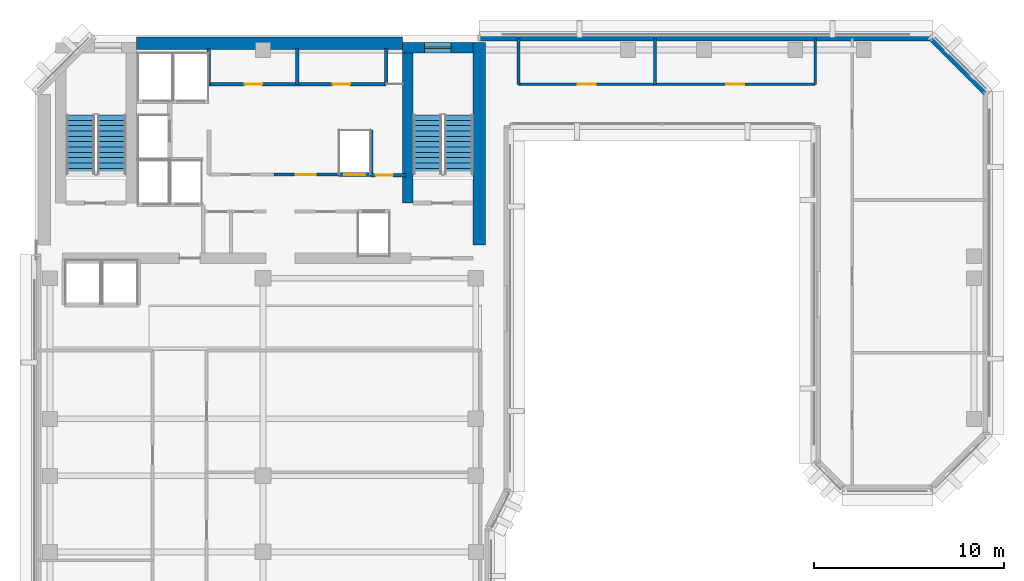
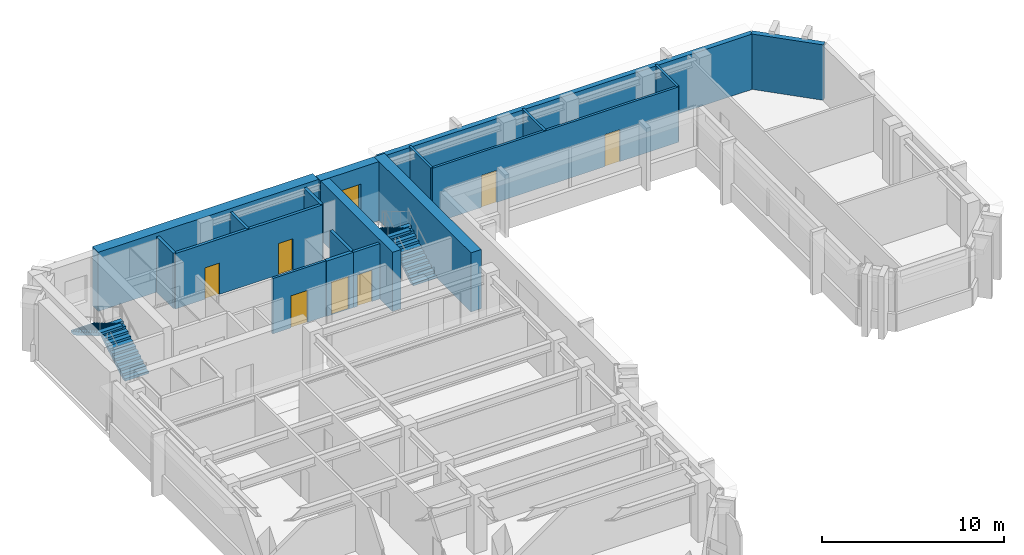
# One storey, part 7 of 11: 18 walls, 7 doors, 4 stair flights, 1 window, 8 openings, 2 elements without a shape of their own.
"""IFC4 building model written with IfcOpenShell, lengths in metres."""

from ifc_helpers import new_model, si_unit, direction, frame, frame_2d, origin, place, context, subcontext, project, spatial, polyline, rectangle, outline, extrude, material, layer, layer_set, type_object, element, fill, aggregate, save


model = new_model("IFC4")

# Units and contexts
model_context = context("Model", 3, precision=1e-05, world=origin(), true_north=direction((0.0, 1.0)))
body_context = subcontext(model_context, "Body", "Model", "MODEL_VIEW")
ifc_project = project(units=[si_unit("LENGTHUNIT", "METRE"), si_unit("AREAUNIT", "SQUARE_METRE"), si_unit("VOLUMEUNIT", "CUBIC_METRE"), si_unit("PLANEANGLEUNIT", "RADIAN"), si_unit("MASSUNIT", "GRAM", prefix="KILO")], contexts=[model_context])

# Site, building, storey
site_placement = place(None, origin())
site = spatial("IfcSite", under=ifc_project, at=site_placement, CompositionType="ELEMENT")
building_placement = place(site_placement, origin())
building = spatial("IfcBuilding", under=site, at=building_placement, Name="Kefirva Bronze Tower", CompositionType="ELEMENT")
storey_placement = place(building_placement, frame((0.0, 0.0, 239.580078125)))
storey = spatial("IfcBuildingStorey", under=building, at=storey_placement, Name="L58", CompositionType="ELEMENT", Elevation=239.580078125)

# Wall, opening, door
ifc_material_1 = material(Name="Gypsum acoustic partition")
ifc_layer_1 = layer(ifc_material_1, 0.14990234375, Name="Gypsum acoustic partition")
ifc_layer_set_1 = layer_set([ifc_layer_1], Name="Gypsum acoustic partition")
wall_type_1 = type_object("IfcWallType", Name="Executive Suite Partition 150mm", PredefinedType="PARTITIONING", material=ifc_layer_set_1)
wall_1_placement = place(storey_placement, frame((12.580078125, 38.64990234375, 0.0), z_axis=(0.0, 0.0, 1.0), x_axis=(1.0, 0.0, 0.0)))
wall_1 = element("IfcWall", 1, at=wall_1_placement, inside=storey, type_object=wall_type_1, Name="L58 Partition W-L58-RECMP2", PredefinedType="PARTITIONING", context=body_context, shape_type="SweptSolid", body=[
    extrude(rectangle(XDim=3.3798828125, YDim=0.14990234375, at=frame_2d((1.68994140625, 0.0))), origin(), (0.0, 0.0, 1.0), 3.7099609375),
])
opening_1_placement = place(wall_1_placement, frame((2.199951171875, 0.0, 0.0), z_axis=(0.0, 0.0, 1.0), x_axis=(-1.0, 0.0, 0.0)))
opening_1 = element("IfcOpeningElement", 2, at=opening_1_placement, cuts=wall_1, Name="Opening L58-D-RECMP2", PredefinedType="OPENING", context=body_context, shape_type="SweptSolid", body=[
    extrude(rectangle(XDim=1.050048828125, YDim=2.14990234375, at=frame_2d((0.52490234375, 1.074951171875))), frame((0.0, 0.0849609375, 0.0), z_axis=(0.0, -1.0, 0.0), x_axis=(1.0, 0.0, 0.0)), (0.0, 0.0, 1.0), 0.169921875),
])
ifc_material_2 = material(Name="Acoustic hardwood oak", Category="wood")
door_type_1 = type_object("IfcDoorType", Name="Executive & Boardroom Door 1050x2150", OperationType="NOTDEFINED", PredefinedType="DOOR", material=ifc_material_2)
door_1_placement = place(opening_1_placement, origin())
door_1 = element("IfcDoor", 3, at=door_1_placement, inside=storey, type_object=door_type_1, Name="Door L58-D-RECMP2", OperationType="SINGLE_SWING_LEFT", OverallHeight=2.14990234375, OverallWidth=1.050048828125, PredefinedType="DOOR", context=body_context, shape_type="SweptSolid", body=[
    extrude(rectangle(XDim=1.050048828125, YDim=2.14990234375, at=frame_2d((0.52490234375, 1.074951171875))), frame((0.0, 0.02490234375, 0.0), z_axis=(0.0, -1.0, 0.0), x_axis=(1.0, 0.0, 0.0)), (0.0, 0.0, 1.0), 0.050048828125),
])
fill(opening_1, door_1)

# Wall, openings, doors
wall_2_placement = place(storey_placement, frame((25.449951171875, 43.39990234375, 0.0), z_axis=(0.0, 0.0, 1.0), x_axis=(1.0, 0.0, 0.0)))
wall_2 = element("IfcWall", 4, at=wall_2_placement, inside=storey, type_object=wall_type_1, Name="L58 Partition W-L58-PBRGN", PredefinedType="PARTITIONING", context=body_context, shape_type="SweptSolid", body=[
    extrude(rectangle(XDim=15.60009765625, YDim=0.14990234375, at=frame_2d((7.800048828125, 0.0))), origin(), (0.0, 0.0, 1.0), 3.7099609375),
])
opening_2_placement = place(wall_2_placement, frame((3.113037109375, 0.0, 0.0)))
opening_2 = element("IfcOpeningElement", 5, at=opening_2_placement, cuts=wall_2, Name="Opening L58-D-PBN1", PredefinedType="OPENING", context=body_context, shape_type="SweptSolid", body=[
    extrude(rectangle(XDim=0.949951171875, YDim=2.14990234375, at=frame_2d((0.47509765625, 1.074951171875))), frame((0.0, 0.0849609375, 0.0), z_axis=(0.0, -1.0, 0.0), x_axis=(1.0, 0.0, 0.0)), (0.0, 0.0, 1.0), 0.169921875),
])
opening_3_placement = place(wall_2_placement, frame((10.9130859375, 0.0, 0.0)))
opening_3 = element("IfcOpeningElement", 6, at=opening_3_placement, cuts=wall_2, Name="Opening L58-D-PBN2", PredefinedType="OPENING", context=body_context, shape_type="SweptSolid", body=[
    extrude(rectangle(XDim=0.949951171875, YDim=2.14990234375, at=frame_2d((0.47509765625, 1.074951171875))), frame((0.0, 0.0849609375, 0.0), z_axis=(0.0, -1.0, 0.0), x_axis=(1.0, 0.0, 0.0)), (0.0, 0.0, 1.0), 0.169921875),
])
door_type_2 = type_object("IfcDoorType", Name="Office & Meeting Room Door 950x2150", OperationType="NOTDEFINED", PredefinedType="DOOR", material=ifc_material_2)
door_2_placement = place(opening_2_placement, origin())
door_2 = element("IfcDoor", 7, at=door_2_placement, inside=storey, type_object=door_type_2, Name="Door L58-D-PBN1", OperationType="SINGLE_SWING_LEFT", OverallHeight=2.14990234375, OverallWidth=0.949951171875, PredefinedType="DOOR", context=body_context, shape_type="SweptSolid", body=[
    extrude(rectangle(XDim=0.949951171875, YDim=2.14990234375, at=frame_2d((0.47509765625, 1.074951171875))), frame((0.0, 0.02490234375, 0.0), z_axis=(0.0, -1.0, 0.0), x_axis=(1.0, 0.0, 0.0)), (0.0, 0.0, 1.0), 0.050048828125),
])
fill(opening_2, door_2)
door_3_placement = place(opening_3_placement, origin())
door_3 = element("IfcDoor", 8, at=door_3_placement, inside=storey, type_object=door_type_2, Name="Door L58-D-PBN2", OperationType="SINGLE_SWING_RIGHT", OverallHeight=2.14990234375, OverallWidth=0.949951171875, PredefinedType="DOOR", context=body_context, shape_type="SweptSolid", body=[
    extrude(rectangle(XDim=0.949951171875, YDim=2.14990234375, at=frame_2d((0.47509765625, 1.074951171875))), frame((0.0, 0.02490234375, 0.0), z_axis=(0.0, -1.0, 0.0), x_axis=(1.0, 0.0, 0.0)), (0.0, 0.0, 1.0), 0.050048828125),
])
fill(opening_3, door_3)

# Walls
for number, where, z_axis, x_axis, name in (
    (9, (25.449951171875, 43.39990234375, 0.0), (0.0, 0.0, 1.0), (0.0, 1.0, 0.0), "L58 Partition W-L58-PBRGW"),
    (10, (41.050048828125, 43.39990234375, 0.0), (0.0, 0.0, 1.0), (0.0, 1.0, 0.0), "L58 Partition W-L58-PBRGE"),
    (11, (32.6259765625, 43.39990234375, 0.0), (0.0, 0.0, 1.0), (0.0, 1.0, 0.0), "L58 Partition W-L58-PBND1"),
):
    element("IfcWall", number, at=place(storey_placement, frame(where, z_axis=z_axis, x_axis=x_axis)), inside=storey, type_object=wall_type_1, Name=name, PredefinedType="PARTITIONING", context=body_context, shape_type="SweptSolid", body=[
        extrude(rectangle(XDim=2.41015625, YDim=0.14990234375, at=frame_2d((1.205078125, 0.0))), origin(), (0.0, 0.0, 1.0), 3.7099609375),
    ])
ifc_material_3 = material(Name="Gypsum fireboard shaftwall")
ifc_layer_2 = layer(ifc_material_3, 0.219970703125, Name="Gypsum fireboard shaftwall")
ifc_layer_set_2 = layer_set([ifc_layer_2], Name="Gypsum fireboard shaftwall")
wall_type_2 = type_object("IfcWallType", Name="Fire-Rated Shaft Enclosure Wall 220mm", PredefinedType="PARTITIONING", material=ifc_layer_set_2)
wall_3_placement = place(storey_placement, frame((17.679931640625, 38.64990234375, 0.0), z_axis=(0.0, 0.0, 1.0), x_axis=(0.0, 1.0, 0.0)))
element("IfcWall", 12, at=wall_3_placement, inside=storey, type_object=wall_type_2, Name="L58 Partition W-L58-HP2E", PredefinedType="PARTITIONING", context=body_context, shape_type="SweptSolid", body=[
    extrude(rectangle(XDim=2.35009765625, YDim=0.199951171875, at=frame_2d((1.175048828125, 0.0))), origin(), (0.0, 0.0, 1.0), 3.7099609375),
])

# Wall, opening, door
wall_4_placement = place(storey_placement, frame((15.97998046875, 38.64990234375, 0.0), z_axis=(0.0, 0.0, 1.0), x_axis=(1.0, 0.0, 0.0)))
wall_4 = element("IfcWall", 13, at=wall_4_placement, inside=storey, type_object=wall_type_2, Name="L58 Partition W-L58-HPN", PredefinedType="PARTITIONING", context=body_context, shape_type="SweptSolid", body=[
    extrude(rectangle(XDim=1.719970703125, YDim=0.219970703125, at=frame_2d((0.85986328125, 0.0))), origin(), (0.0, 0.0, 1.0), 3.7099609375),
])
opening_4_placement = place(wall_4_placement, frame((0.300048828125, 0.0, 0.0)))
opening_4 = element("IfcOpeningElement", 14, at=opening_4_placement, cuts=wall_4, Name="Opening L58-LD-HP2", PredefinedType="OPENING", context=body_context, shape_type="SweptSolid", body=[
    extrude(rectangle(XDim=1.10009765625, YDim=2.199951171875, at=frame_2d((0.550048828125, 1.10009765625))), frame((0.0, 0.1201171875, 0.0), z_axis=(0.0, -1.0, 0.0), x_axis=(1.0, 0.0, 0.0)), (0.0, 0.0, 1.0), 0.239990234375),
])
ifc_material_4 = material(Name="Stainless steel 316", Category="steel")
door_type_3 = type_object("IfcDoorType", Name="Passenger Lift Sliding Landing Door 1100x2200", OperationType="SLIDING_TO_LEFT", PredefinedType="DOOR", material=ifc_material_4)
door_4_placement = place(opening_4_placement, origin())
door_4 = element("IfcDoor", 15, at=door_4_placement, inside=storey, type_object=door_type_3, Name="Door L58-LD-HP2", OperationType="SLIDING_TO_LEFT", OverallHeight=2.199951171875, OverallWidth=1.10009765625, PredefinedType="DOOR", context=body_context, shape_type="SweptSolid", body=[
    extrude(rectangle(XDim=1.10009765625, YDim=2.199951171875, at=frame_2d((0.550048828125, 1.10009765625))), frame((0.0, 0.02490234375, 0.0), z_axis=(0.0, -1.0, 0.0), x_axis=(1.0, 0.0, 0.0)), (0.0, 0.0, 1.0), 0.050048828125),
])
fill(opening_4, door_4)

ifc_material_5 = material(Name="Gypsum fireboard barrier")
ifc_layer_3 = layer(ifc_material_5, 0.199951171875, Name="Gypsum fireboard barrier")
ifc_layer_set_3 = layer_set([ifc_layer_3], Name="Gypsum fireboard barrier")
wall_type_3 = type_object("IfcWallType", Name="Firefighting Lobby Barrier Wall 200mm", PredefinedType="PARTITIONING", material=ifc_layer_set_3)
wall_5_placement = place(storey_placement, frame((17.679931640625, 38.6201171875, 0.0), z_axis=(0.0, 0.0, 1.0), x_axis=(1.0, 0.0, 0.0)))
wall_5 = element("IfcWall", 16, at=wall_5_placement, inside=storey, type_object=wall_type_3, Name="L58 Partition W-L58-CPASS", PredefinedType="PARTITIONING", context=body_context, shape_type="SweptSolid", body=[
    extrude(rectangle(XDim=1.840087890625, YDim=0.179931640625, at=frame_2d((0.919921875, 0.0))), origin(), (0.0, 0.0, 1.0), 3.7099609375),
])
opening_5_placement = place(wall_5_placement, frame((0.239990234375, 0.0, 0.0)))
opening_5 = element("IfcOpeningElement", 17, at=opening_5_placement, cuts=wall_5, Name="Opening L58-D-CPAS", PredefinedType="OPENING", context=body_context, shape_type="SweptSolid", body=[
    extrude(rectangle(XDim=0.919921875, YDim=2.10009765625, at=frame_2d((0.4599609375, 1.050048828125))), frame((0.0, 0.10009765625, 0.0), z_axis=(0.0, -1.0, 0.0), x_axis=(1.0, 0.0, 0.0)), (0.0, 0.0, 1.0), 0.199951171875),
])
ifc_material_6 = material(Name="Moisture-resistant timber", Category="wood")
door_type_4 = type_object("IfcDoorType", Name="Accessible Sanitary & WC Door 920x2100", OperationType="NOTDEFINED", PredefinedType="DOOR", material=ifc_material_6)
door_5_placement = place(opening_5_placement, origin())
door_5 = element("IfcDoor", 18, at=door_5_placement, inside=storey, type_object=door_type_4, Name="Door L58-D-CPAS", OperationType="SINGLE_SWING_RIGHT", OverallHeight=2.10009765625, OverallWidth=0.919921875, PredefinedType="DOOR", context=body_context, shape_type="SweptSolid", body=[
    extrude(rectangle(XDim=0.919921875, YDim=2.10009765625, at=frame_2d((0.4599609375, 1.050048828125))), frame((0.0, 0.02490234375, 0.0), z_axis=(0.0, -1.0, 0.0), x_axis=(1.0, 0.0, 0.0)), (0.0, 0.0, 1.0), 0.050048828125),
])
fill(opening_5, door_5)

# Walls
ifc_material_7 = material(Name="Precast concrete C40/50", Category="concrete")
ifc_layer_4 = layer(ifc_material_7, 0.320068359375, Name="Precast concrete C40/50")
ifc_layer_set_4 = layer_set([ifc_layer_4], Name="Precast concrete C40/50")
wall_type_4 = type_object("IfcWallType", Name="Precast Insulated Exterior Wall 320mm", PredefinedType="SOLIDWALL", material=ifc_layer_set_4)
wall_6_placement = place(storey_placement, frame((50.048095703125, 42.92578125, 0.0), z_axis=(0.0, 0.0, 1.0), x_axis=(-0.707136318428, 0.707077242712, 0.0)))
element("IfcWall", 19, at=wall_6_placement, inside=storey, type_object=wall_type_4, Name="L58 Exterior Facade Wall 10", PredefinedType="SOLIDWALL", context=body_context, shape_type="SweptSolid", body=[
    extrude(rectangle(XDim=4.132568359375, YDim=0.320068359375, at=frame_2d((2.06640625, 0.0))), origin(), (0.0, 0.0, 1.0), 3.7099609375),
])
wall_7_placement = place(storey_placement, frame((47.14501953125, 45.840087890625, 0.0), z_axis=(0.0, 0.0, 1.0), x_axis=(-1.0, 0.0, 0.0)))
element("IfcWall", 20, at=wall_7_placement, inside=storey, type_object=wall_type_4, Name="L58 Exterior Facade Wall 11", PredefinedType="SOLIDWALL", context=body_context, shape_type="SweptSolid", body=[
    extrude(rectangle(XDim=23.739990234375, YDim=0.320068359375, at=frame_2d((11.8701171875, 0.0))), origin(), (0.0, 0.0, 1.0), 3.7099609375),
])

# Wall, opening, window
ifc_material_8 = material(Name="Concrete C50/60", Category="concrete")
ifc_layer_5 = layer(ifc_material_8, 0.550048828125, Name="Concrete C50/60")
ifc_layer_set_5 = layer_set([ifc_layer_5], Name="Concrete C50/60")
wall_type_5 = type_object("IfcWallType", Name="RC Rear Core Exterior Wall 550mm", PredefinedType="SHEAR", material=ifc_layer_set_5)
wall_8_placement = place(storey_placement, frame((19.35009765625, 45.320068359375, 0.0), z_axis=(0.0, 0.0, 1.0), x_axis=(1.0, 0.0, 0.0)))
wall_8 = element("IfcWall", 21, at=wall_8_placement, inside=storey, type_object=wall_type_5, Name="L58 Stair 2 North Shear Wall", PredefinedType="SHEAR", context=body_context, shape_type="SweptSolid", body=[
    extrude(rectangle(XDim=3.68994140625, YDim=0.550048828125, at=frame_2d((1.844970703125, 0.0))), origin(), (0.0, 0.0, 1.0), 3.9599609375),
])
opening_6_placement = place(wall_8_placement, frame((1.14990234375, 0.0, 1.050048828125)))
opening_6 = element("IfcOpeningElement", 22, at=opening_6_placement, cuts=wall_8, Name="Opening WN-03", PredefinedType="OPENING", context=body_context, shape_type="SweptSolid", body=[
    extrude(rectangle(XDim=1.39990234375, YDim=1.800048828125, at=frame_2d((0.699951171875, 0.89990234375))), frame((0.0, 0.28515625, 0.0), z_axis=(0.0, -1.0, 0.0), x_axis=(1.0, 0.0, 0.0)), (0.0, 0.0, 1.0), 0.570068359375),
])
ifc_material_9 = material(Name="Laminated low-E double glazing", Category="glass")
window_type = type_object("IfcWindowType", Name="Rear-Core Stair Daylight Window 1400x1800", PartitioningType="SINGLE_PANEL", PredefinedType="WINDOW", material=ifc_material_9)
window_placement = place(opening_6_placement, origin())
window = element("IfcWindow", 23, at=window_placement, inside=storey, type_object=window_type, Name="L58 Stair 2 Daylight Window", OverallHeight=1.800048828125, OverallWidth=1.39990234375, PartitioningType="SINGLE_PANEL", PredefinedType="WINDOW", context=body_context, shape_type="SweptSolid", body=[
    extrude(rectangle(XDim=1.39990234375, YDim=1.800048828125, at=frame_2d((0.699951171875, 0.89990234375))), frame((0.0, 0.030029296875, 0.0), z_axis=(0.0, -1.0, 0.0), x_axis=(1.0, 0.0, 0.0)), (0.0, 0.0, 1.0), 0.06005859375),
])
fill(opening_6, window)

# Walls
ifc_layer_6 = layer(ifc_material_8, 0.64990234375, Name="Concrete C50/60")
ifc_layer_set_6 = layer_set([ifc_layer_6], Name="Concrete C50/60")
wall_type_6 = type_object("IfcWallType", Name="RC Rear Core Exterior Wall 650mm", PredefinedType="SHEAR", material=ifc_layer_set_6)
wall_9_placement = place(storey_placement, frame((5.360107421875, 45.550048828125, 0.0), z_axis=(0.0, 0.0, 1.0), x_axis=(1.0, 0.0, 0.0)))
element("IfcWall", 24, at=wall_9_placement, inside=storey, type_object=wall_type_6, Name="L58 Rear Core North Shear Wall", PredefinedType="SHEAR", context=body_context, shape_type="SweptSolid", body=[
    extrude(rectangle(XDim=13.97998046875, YDim=0.64990234375, at=frame_2d((6.989990234375, 0.0))), origin(), (0.0, 0.0, 1.0), 3.9599609375),
])
ifc_layer_7 = layer(ifc_material_8, 0.550048828125, Name="Concrete C50/60")
ifc_layer_set_7 = layer_set([ifc_layer_7], Name="Concrete C50/60")
wall_type_7 = type_object("IfcWallType", Name="RC Rear Core Interior Wall 550mm", PredefinedType="SHEAR", material=ifc_layer_set_7)
wall_10_placement = place(storey_placement, frame((19.6201171875, 37.14990234375, 0.0), z_axis=(0.0, 0.0, 1.0), x_axis=(0.0, 1.0, 0.0)))
element("IfcWall", 25, at=wall_10_placement, inside=storey, type_object=wall_type_7, Name="L58 Stair 2 West Shear Wall", PredefinedType="SHEAR", context=body_context, shape_type="SweptSolid", body=[
    extrude(rectangle(XDim=7.89013671875, YDim=0.550048828125, at=frame_2d((3.945068359375, 0.0))), origin(), (0.0, 0.0, 1.0), 3.9599609375),
])
ifc_layer_8 = layer(ifc_material_8, 0.64990234375, Name="Concrete C50/60")
ifc_layer_set_8 = layer_set([ifc_layer_8], Name="Concrete C50/60")
wall_type_8 = type_object("IfcWallType", Name="RC Rear Core Interior Wall 650mm", PredefinedType="SHEAR", material=ifc_layer_set_8)
wall_11_placement = place(storey_placement, frame((23.375, 34.949951171875, 0.0), z_axis=(0.0, 0.0, 1.0), x_axis=(0.0, 1.0, 0.0)))
element("IfcWall", 26, at=wall_11_placement, inside=storey, type_object=wall_type_8, Name="L58 Rear Core East Shear Wall", PredefinedType="SHEAR", context=body_context, shape_type="SweptSolid", body=[
    extrude(rectangle(XDim=10.64013671875, YDim=0.64990234375, at=frame_2d((5.320068359375, 0.0))), origin(), (0.0, 0.0, 1.0), 3.9599609375),
])

# Wall, openings, doors
ifc_material_10 = material(Name="Moisture-resistant partition")
ifc_layer_9 = layer(ifc_material_10, 0.179931640625, Name="Moisture-resistant partition")
ifc_layer_set_9 = layer_set([ifc_layer_9], Name="Moisture-resistant partition")
wall_type_9 = type_object("IfcWallType", Name="Sanitary Plumbing Chase Wall 180mm", PredefinedType="PLUMBINGWALL", material=ifc_layer_set_9)
wall_12_placement = place(storey_placement, frame((9.14990234375, 43.39990234375, 0.0), z_axis=(0.0, 0.0, 1.0), x_axis=(1.0, 0.0, 0.0)))
wall_12 = element("IfcWall", 27, at=wall_12_placement, inside=storey, type_object=wall_type_9, Name="L58 Partition W-L58-SVCS", PredefinedType="PLUMBINGWALL", context=body_context, shape_type="SweptSolid", body=[
    extrude(rectangle(XDim=9.330078125, YDim=0.179931640625, at=frame_2d((4.6650390625, 0.0))), origin(), (0.0, 0.0, 1.0), 3.7099609375),
])
opening_7_placement = place(wall_12_placement, frame((1.8798828125, 0.0, 0.0)))
opening_7 = element("IfcOpeningElement", 28, at=opening_7_placement, cuts=wall_12, Name="Opening L58-D-CSVC1", PredefinedType="OPENING", context=body_context, shape_type="SweptSolid", body=[
    extrude(rectangle(XDim=0.919921875, YDim=2.10009765625, at=frame_2d((0.4599609375, 1.050048828125))), frame((0.0, 0.10009765625, 0.0), z_axis=(0.0, -1.0, 0.0), x_axis=(1.0, 0.0, 0.0)), (0.0, 0.0, 1.0), 0.199951171875),
])
opening_8_placement = place(wall_12_placement, frame((6.514892578125, 0.0, 0.0)))
opening_8 = element("IfcOpeningElement", 29, at=opening_8_placement, cuts=wall_12, Name="Opening L58-D-CSVC2", PredefinedType="OPENING", context=body_context, shape_type="SweptSolid", body=[
    extrude(rectangle(XDim=0.919921875, YDim=2.10009765625, at=frame_2d((0.4599609375, 1.050048828125))), frame((0.0, 0.10009765625, 0.0), z_axis=(0.0, -1.0, 0.0), x_axis=(1.0, 0.0, 0.0)), (0.0, 0.0, 1.0), 0.199951171875),
])
door_6_placement = place(opening_7_placement, origin())
door_6 = element("IfcDoor", 30, at=door_6_placement, inside=storey, type_object=door_type_4, Name="Door L58-D-CSVC1", OperationType="SINGLE_SWING_RIGHT", OverallHeight=2.10009765625, OverallWidth=0.919921875, PredefinedType="DOOR", context=body_context, shape_type="SweptSolid", body=[
    extrude(rectangle(XDim=0.919921875, YDim=2.10009765625, at=frame_2d((0.4599609375, 1.050048828125))), frame((0.0, 0.02490234375, 0.0), z_axis=(0.0, -1.0, 0.0), x_axis=(1.0, 0.0, 0.0)), (0.0, 0.0, 1.0), 0.050048828125),
])
fill(opening_7, door_6)
door_7_placement = place(opening_8_placement, origin())
door_7 = element("IfcDoor", 31, at=door_7_placement, inside=storey, type_object=door_type_4, Name="Door L58-D-CSVC2", OperationType="SINGLE_SWING_LEFT", OverallHeight=2.10009765625, OverallWidth=0.919921875, PredefinedType="DOOR", context=body_context, shape_type="SweptSolid", body=[
    extrude(rectangle(XDim=0.919921875, YDim=2.10009765625, at=frame_2d((0.4599609375, 1.050048828125))), frame((0.0, 0.02490234375, 0.0), z_axis=(0.0, -1.0, 0.0), x_axis=(1.0, 0.0, 0.0)), (0.0, 0.0, 1.0), 0.050048828125),
])
fill(opening_8, door_7)

# Walls
for number, where, z_axis, x_axis, name in (
    (32, (9.14990234375, 43.39990234375, 0.0), (0.0, 0.0, 1.0), (0.0, 1.0, 0.0), "L58 Partition W-L58-SVCW"),
    (33, (18.47998046875, 43.39990234375, 0.0), (0.0, 0.0, 1.0), (0.0, 1.0, 0.0), "L58 Partition W-L58-SVCE"),
    (34, (13.800048828125, 43.39990234375, 0.0), (0.0, 0.0, 1.0), (0.0, 1.0, 0.0), "L58 Partition W-L58-CSVD-1"),
):
    element("IfcWall", number, at=place(storey_placement, frame(where, z_axis=z_axis, x_axis=x_axis)), inside=storey, type_object=wall_type_9, Name=name, PredefinedType="PLUMBINGWALL", context=body_context, shape_type="SweptSolid", body=[
        extrude(rectangle(XDim=1.880126953125, YDim=0.179931640625, at=frame_2d((0.93994140625, 0.0))), origin(), (0.0, 0.0, 1.0), 3.7099609375),
    ])

# Stair, stair flights
ifc_material_11 = material(Name="Concrete C40/50", Category="concrete")
stair_type = type_object("IfcStairType", Name="RC Dogleg Protected Stair 24R", PredefinedType="HALF_TURN_STAIR", material=ifc_material_11)
stair_1_placement = place(storey_placement, origin())
stair_1 = element("IfcStair", 35, at=stair_1_placement, inside=storey, type_object=stair_type, Name="L58 Protected Exit Stair 1", PredefinedType="HALF_TURN_STAIR")
stair_flight_type = type_object("IfcStairFlightType", Name="RC Straight Stair Flight 24R", PredefinedType="STRAIGHT", material=ifc_material_11)
stair_flight_1_placement = place(storey_placement, frame((4.050048828125, 38.699951171875, 0.0), z_axis=(0.0, 0.0, 1.0), x_axis=(0.0, 1.0, 0.0)))
stair_flight_1 = element("IfcStairFlight", 36, at=stair_flight_1_placement, type_object=stair_flight_type, Name="ST-1 flight 1", NumberOfRisers=12, NumberOfTreads=11, PredefinedType="STRAIGHT", RiserHeight=0.165, TreadLength=0.28, context=body_context, shape_type="SweptSolid", body=[
    extrude(outline(polyline([(0.0, 0.0), (0.0, 0.1650390625), (0.280029296875, 0.1650390625), (0.280029296875, 0.330078125), (0.56005859375, 0.330078125), (0.56005859375, 0.4951171875), (0.840087890625, 0.4951171875), (0.840087890625, 0.659912109375), (1.1201171875, 0.659912109375), (1.1201171875, 0.824951171875), (1.39990234375, 0.824951171875), (1.39990234375, 0.989990234375), (1.679931640625, 0.989990234375), (1.679931640625, 1.155029296875), (1.9599609375, 1.155029296875), (1.9599609375, 1.320068359375), (2.239990234375, 1.320068359375), (2.239990234375, 1.485107421875), (2.52001953125, 1.485107421875), (2.52001953125, 1.64990234375), (2.800048828125, 1.64990234375), (2.800048828125, 1.81494140625), (3.080078125, 1.81494140625), (3.080078125, 1.97998046875), (3.080078125, 1.64111328125), (0.295166015625, 0.0), (0.0, 0.0)])), frame((0.0, 0.75, 0.0), z_axis=(0.0, -1.0, 0.0), x_axis=(1.0, 0.0, 0.0)), (0.0, 0.0, 1.0), 1.5),
])
stair_flight_2_placement = place(storey_placement, frame((2.39990234375, 41.780029296875, 1.97998046875), z_axis=(0.0, 0.0, 1.0), x_axis=(0.0, -1.0, 0.0)))
stair_flight_2 = element("IfcStairFlight", 37, at=stair_flight_2_placement, type_object=stair_flight_type, Name="ST-1 flight 2", NumberOfRisers=12, NumberOfTreads=11, PredefinedType="STRAIGHT", RiserHeight=0.165, TreadLength=0.28, context=body_context, shape_type="SweptSolid", body=[
    extrude(outline(polyline([(0.0, 0.0), (0.0, 0.1650390625), (0.280029296875, 0.1650390625), (0.280029296875, 0.330078125), (0.56005859375, 0.330078125), (0.56005859375, 0.4951171875), (0.840087890625, 0.4951171875), (0.840087890625, 0.659912109375), (1.1201171875, 0.659912109375), (1.1201171875, 0.824951171875), (1.39990234375, 0.824951171875), (1.39990234375, 0.989990234375), (1.679931640625, 0.989990234375), (1.679931640625, 1.155029296875), (1.9599609375, 1.155029296875), (1.9599609375, 1.320068359375), (2.239990234375, 1.320068359375), (2.239990234375, 1.485107421875), (2.52001953125, 1.485107421875), (2.52001953125, 1.64990234375), (2.800048828125, 1.64990234375), (2.800048828125, 1.81494140625), (3.080078125, 1.81494140625), (3.080078125, 1.97998046875), (3.080078125, 1.64111328125), (0.295166015625, 0.0), (0.0, 0.0)])), frame((0.0, 0.75, 0.0), z_axis=(0.0, -1.0, 0.0), x_axis=(1.0, 0.0, 0.0)), (0.0, 0.0, 1.0), 1.5),
])
aggregate(stair_1, [stair_flight_1, stair_flight_2])

stair_2_placement = place(storey_placement, origin())
stair_2 = element("IfcStair", 38, at=stair_2_placement, inside=storey, type_object=stair_type, Name="L58 Protected Exit Stair 2", PredefinedType="HALF_TURN_STAIR")
stair_flight_3_placement = place(storey_placement, frame((22.300048828125, 38.699951171875, 0.0), z_axis=(0.0, 0.0, 1.0), x_axis=(0.0, 1.0, 0.0)))
stair_flight_3 = element("IfcStairFlight", 39, at=stair_flight_3_placement, type_object=stair_flight_type, Name="ST-2 flight 1", NumberOfRisers=12, NumberOfTreads=11, PredefinedType="STRAIGHT", RiserHeight=0.165, TreadLength=0.28, context=body_context, shape_type="SweptSolid", body=[
    extrude(outline(polyline([(0.0, 0.0), (0.0, 0.1650390625), (0.280029296875, 0.1650390625), (0.280029296875, 0.330078125), (0.56005859375, 0.330078125), (0.56005859375, 0.4951171875), (0.840087890625, 0.4951171875), (0.840087890625, 0.659912109375), (1.1201171875, 0.659912109375), (1.1201171875, 0.824951171875), (1.39990234375, 0.824951171875), (1.39990234375, 0.989990234375), (1.679931640625, 0.989990234375), (1.679931640625, 1.155029296875), (1.9599609375, 1.155029296875), (1.9599609375, 1.320068359375), (2.239990234375, 1.320068359375), (2.239990234375, 1.485107421875), (2.52001953125, 1.485107421875), (2.52001953125, 1.64990234375), (2.800048828125, 1.64990234375), (2.800048828125, 1.81494140625), (3.080078125, 1.81494140625), (3.080078125, 1.97998046875), (3.080078125, 1.64111328125), (0.295166015625, 0.0), (0.0, 0.0)])), frame((0.0, 0.75, 0.0), z_axis=(0.0, -1.0, 0.0), x_axis=(1.0, 0.0, 0.0)), (0.0, 0.0, 1.0), 1.5),
])
stair_flight_4_placement = place(storey_placement, frame((20.64990234375, 41.780029296875, 1.97998046875), z_axis=(0.0, 0.0, 1.0), x_axis=(0.0, -1.0, 0.0)))
stair_flight_4 = element("IfcStairFlight", 40, at=stair_flight_4_placement, type_object=stair_flight_type, Name="ST-2 flight 2", NumberOfRisers=12, NumberOfTreads=11, PredefinedType="STRAIGHT", RiserHeight=0.165, TreadLength=0.28, context=body_context, shape_type="SweptSolid", body=[
    extrude(outline(polyline([(0.0, 0.0), (0.0, 0.1650390625), (0.280029296875, 0.1650390625), (0.280029296875, 0.330078125), (0.56005859375, 0.330078125), (0.56005859375, 0.4951171875), (0.840087890625, 0.4951171875), (0.840087890625, 0.659912109375), (1.1201171875, 0.659912109375), (1.1201171875, 0.824951171875), (1.39990234375, 0.824951171875), (1.39990234375, 0.989990234375), (1.679931640625, 0.989990234375), (1.679931640625, 1.155029296875), (1.9599609375, 1.155029296875), (1.9599609375, 1.320068359375), (2.239990234375, 1.320068359375), (2.239990234375, 1.485107421875), (2.52001953125, 1.485107421875), (2.52001953125, 1.64990234375), (2.800048828125, 1.64990234375), (2.800048828125, 1.81494140625), (3.080078125, 1.81494140625), (3.080078125, 1.97998046875), (3.080078125, 1.64111328125), (0.295166015625, 0.0), (0.0, 0.0)])), frame((0.0, 0.75, 0.0), z_axis=(0.0, -1.0, 0.0), x_axis=(1.0, 0.0, 0.0)), (0.0, 0.0, 1.0), 1.5),
])
aggregate(stair_2, [stair_flight_3, stair_flight_4])

save(model, "model.ifc")
